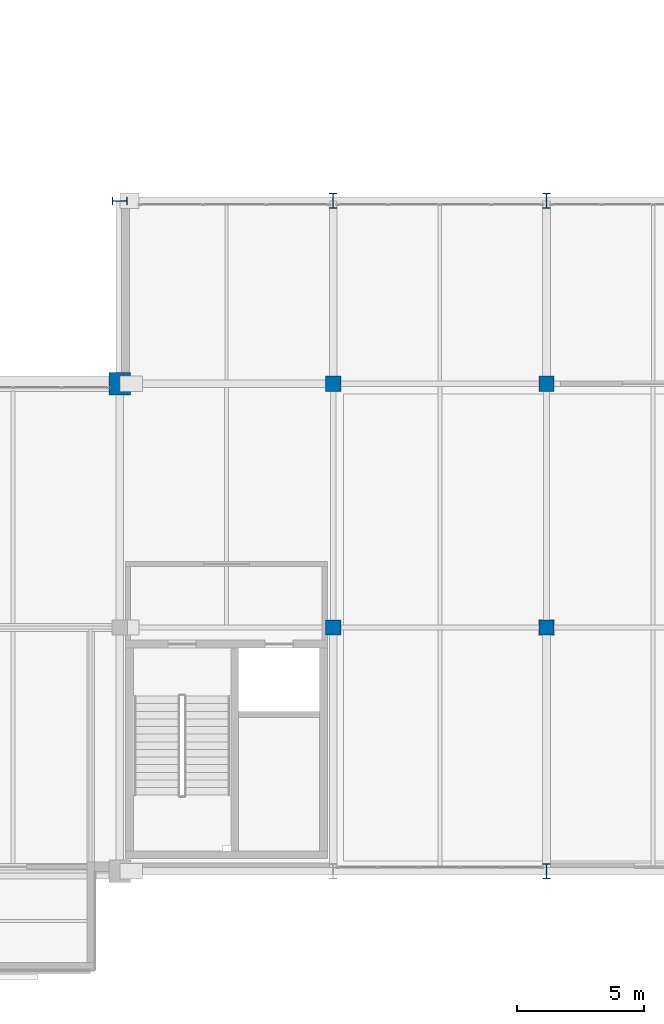
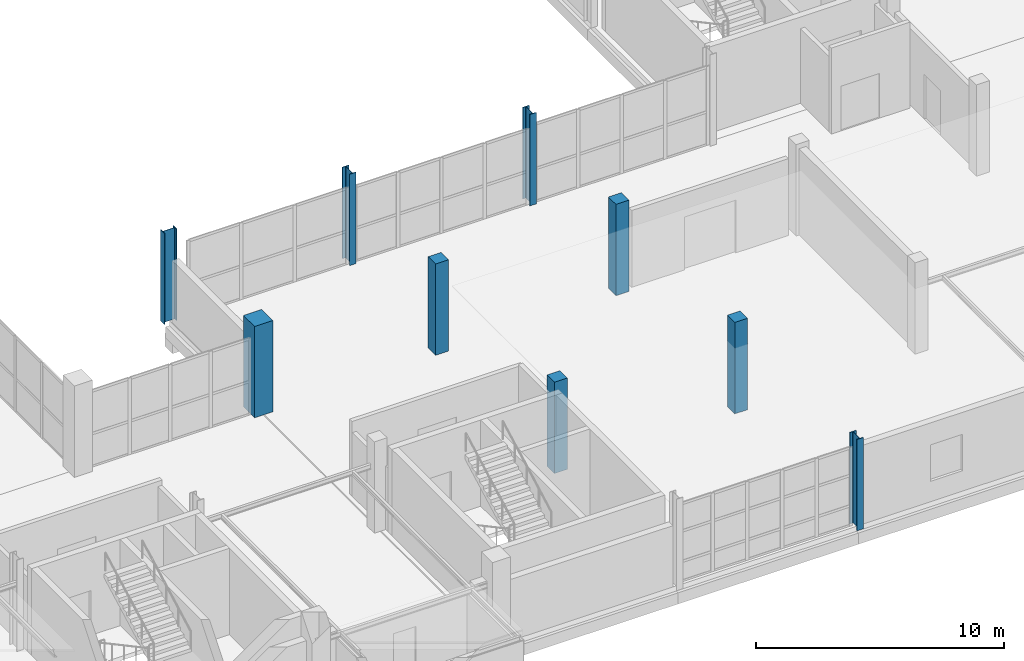
# One storey, part 5 of 130: 9 columns.
"""IFC4 building model written with IfcOpenShell, lengths in metres."""

from ifc_helpers import new_model, si_unit, direction, frame, origin, origin_2d, place, context, subcontext, project, spatial, rectangle, i_section, extrude, material, material_profile, profile_set, type_object, element, save


model = new_model("IFC4")

# Units and contexts
model_context = context("Model", 3, precision=1e-05, world=origin(), true_north=direction((0.0, 1.0)))
body_context = subcontext(model_context, "Body", "Model", "MODEL_VIEW")
ifc_project = project(units=[si_unit("LENGTHUNIT", "METRE"), si_unit("AREAUNIT", "SQUARE_METRE"), si_unit("VOLUMEUNIT", "CUBIC_METRE"), si_unit("PLANEANGLEUNIT", "RADIAN"), si_unit("MASSUNIT", "GRAM", prefix="KILO")], contexts=[model_context])

# Site, building, storey
site_placement = place(None, origin())
site = spatial("IfcSite", under=ifc_project, at=site_placement, CompositionType="ELEMENT")
building_placement = place(site_placement, origin())
building = spatial("IfcBuilding", under=site, at=building_placement, Name="Veltarok Museum of Natural Sciences", CompositionType="ELEMENT")
storey_placement = place(building_placement, frame((0.0, 0.0, 12.89990234375)))
storey = spatial("IfcBuildingStorey", under=building, at=storey_placement, Name="L02", CompositionType="ELEMENT", Elevation=12.89990234375)

# Columns
ifc_material_1 = material(Name="Concrete C40/50", Category="concrete")
ifc_material_profile_1 = material_profile(ifc_material_1, rectangle(XDim=0.60009765625, YDim=0.60009765625, at=origin_2d()), Name="RC 600x600")
ifc_profile_set_1 = profile_set([ifc_material_profile_1], Name="Concrete C40/50")
column_type_1 = type_object("IfcColumnType", Name="Conservation Wing Column RC 600x600", PredefinedType="COLUMN", material=ifc_profile_set_1)
for number, where, z_axis, x_axis, name in (
    (1, (115.60009765625, 9.60009765625, 0.0), (0.0, 0.0, 1.0), (1.0, 0.0, 0.0), "Column COL-RC02 L02 14/B"),
    (2, (115.60009765625, 19.199951171875, 0.0), (0.0, 0.0, 1.0), (1.0, 0.0, 0.0), "Column COL-RC02 L02 14/C"),
    (3, (124.0, 9.60009765625, 0.0), (0.0, 0.0, 1.0), (1.0, 0.0, 0.0), "Column COL-RC02 L02 15/B"),
    (4, (124.0, 19.199951171875, 0.0), (0.0, 0.0, 1.0), (1.0, 0.0, 0.0), "Column COL-RC02 L02 15/C"),
):
    element("IfcColumn", number, at=place(storey_placement, frame(where, z_axis=z_axis, x_axis=x_axis)), inside=storey, type_object=column_type_1, Name=name, PredefinedType="COLUMN", context=body_context, shape_type="SweptSolid", body=[
        extrude(rectangle(XDim=0.60009765625, YDim=0.60009765625, at=origin_2d()), origin(), (0.0, 0.0, 1.0), 4.5),
    ])
ifc_material_profile_2 = material_profile(ifc_material_1, rectangle(XDim=0.85009765625, YDim=0.89990234375, at=origin_2d()), Name="RC 850x900")
ifc_profile_set_2 = profile_set([ifc_material_profile_2], Name="Concrete C40/50")
column_type_2 = type_object("IfcColumnType", Name="Exposed Cabinet Grid Column RC 850x900", PredefinedType="COLUMN", material=ifc_profile_set_2)
column_placement = place(storey_placement, frame((107.199951171875, 19.199951171875, 0.0), z_axis=(0.0, 0.0, 1.0), x_axis=(1.0, 0.0, 0.0)))
element("IfcColumn", 5, at=column_placement, inside=storey, type_object=column_type_2, Name="Column COL-CAB01 L02 13/C", PredefinedType="COLUMN", context=body_context, shape_type="SweptSolid", body=[
    extrude(rectangle(XDim=0.85009765625, YDim=0.89990234375, at=origin_2d()), origin(), (0.0, 0.0, 1.0), 4.5),
])
ifc_material_2 = material(Name="Steel S355J2", Category="steel")
ifc_material_profile_3 = material_profile(ifc_material_2, i_section(OverallWidth=0.300048828125, OverallDepth=0.60009765625, WebThickness=0.015380859375, FlangeThickness=0.030029296875, FilletRadius=0.027099609375, at=origin_2d()), Name="HEB 600")
ifc_profile_set_3 = profile_set([ifc_material_profile_3], Name="Steel S355J2")
column_type_3 = type_object("IfcColumnType", Name="Perimeter Passage Column HEB 600", PredefinedType="COLUMN", material=ifc_profile_set_3)
for number, where, z_axis, x_axis, name in (
    (6, (107.199951171875, 26.39990234375, 0.0), (0.0, 0.0, 1.0), (0.0, 1.0, 0.0), "Column COL-EXT02 L02 13/D"),
    (7, (115.60009765625, 26.39990234375, 0.0), (0.0, 0.0, 1.0), (1.0, 0.0, 0.0), "Column COL-EXT02 L02 14/D"),
    (8, (124.0, 0.0, 0.0), (0.0, 0.0, 1.0), (1.0, 0.0, 0.0), "Column COL-EXT02 L02 15/A"),
    (9, (124.0, 26.39990234375, 0.0), (0.0, 0.0, 1.0), (1.0, 0.0, 0.0), "Column COL-EXT02 L02 15/D"),
):
    element("IfcColumn", number, at=place(storey_placement, frame(where, z_axis=z_axis, x_axis=x_axis)), inside=storey, type_object=column_type_3, Name=name, PredefinedType="COLUMN", context=body_context, shape_type="SweptSolid", body=[
        extrude(i_section(OverallWidth=0.300048828125, OverallDepth=0.60009765625, WebThickness=0.015380859375, FlangeThickness=0.030029296875, FilletRadius=0.027099609375, at=origin_2d()), origin(), (0.0, 0.0, 1.0), 4.5),
    ])

save(model, "model.ifc")
